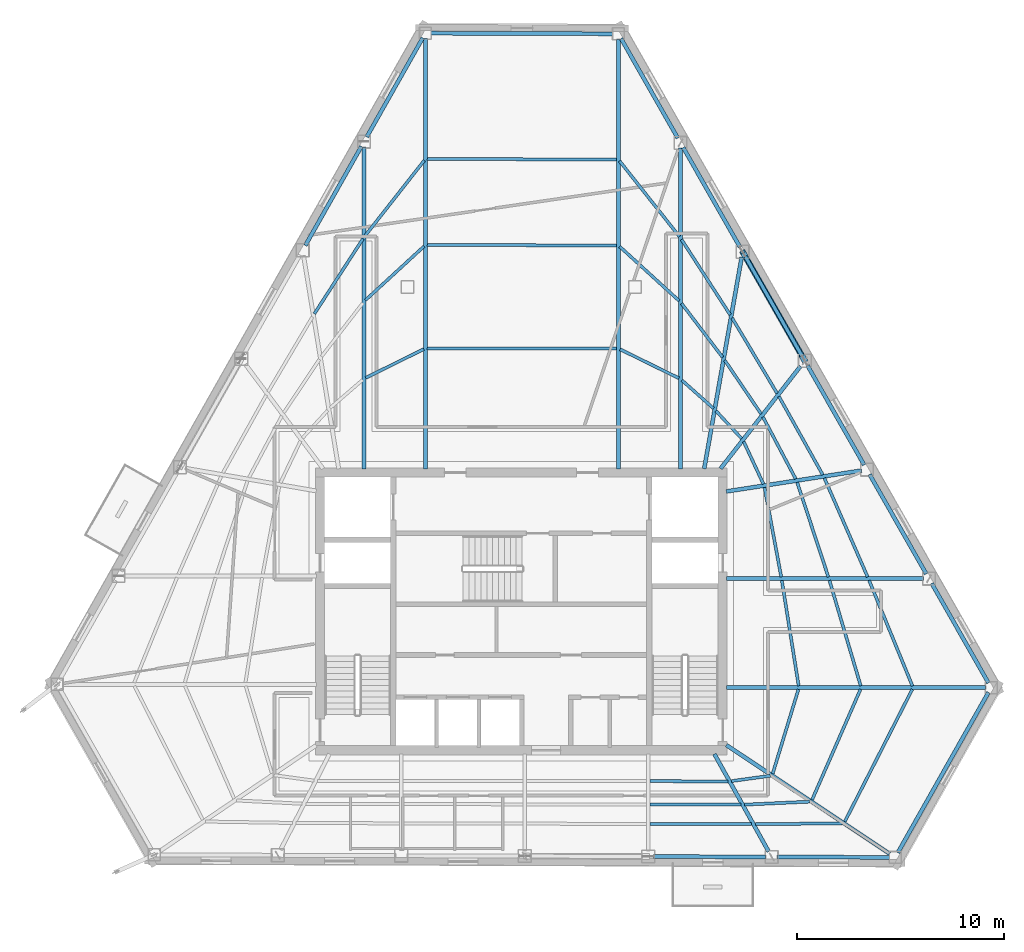
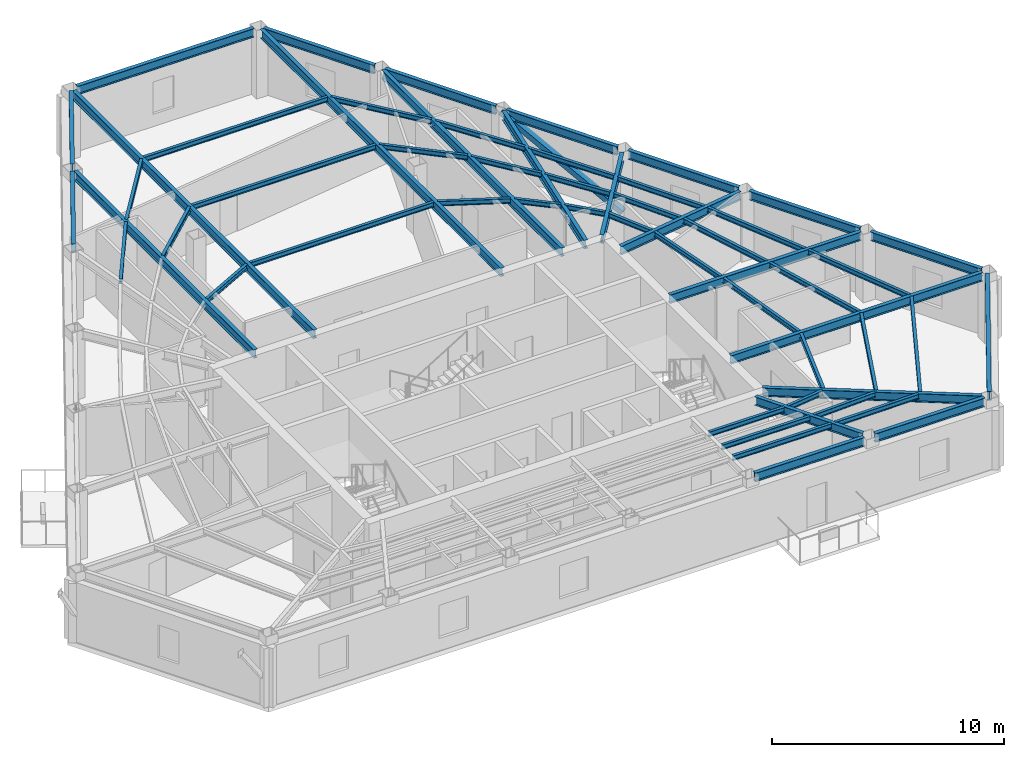
# One storey, part 2 of 13: 57 beams, 1 member.
"""IFC4 building model written with IfcOpenShell, lengths in metres."""

from ifc_helpers import new_model, si_unit, direction, frame, origin, origin_2d, place, context, subcontext, project, spatial, hollow_rectangle, i_section, extrude, material, material_profile, profile_set, type_object, element, save


model = new_model("IFC4")

# Units and contexts
model_context = context("Model", 3, precision=1e-05, world=origin(), true_north=direction((0.0, 1.0)))
body_context = subcontext(model_context, "Body", "Model", "MODEL_VIEW")
ifc_project = project(units=[si_unit("LENGTHUNIT", "METRE"), si_unit("AREAUNIT", "SQUARE_METRE"), si_unit("VOLUMEUNIT", "CUBIC_METRE"), si_unit("PLANEANGLEUNIT", "RADIAN"), si_unit("MASSUNIT", "GRAM", prefix="KILO")], contexts=[model_context])

# Site, building, storey
site_placement = place(None, origin())
site = spatial("IfcSite", under=ifc_project, at=site_placement, CompositionType="ELEMENT")
building_placement = place(site_placement, origin())
building = spatial("IfcBuilding", under=site, at=building_placement, Name="Kavelnor Concourse Tower", CompositionType="ELEMENT")
storey_placement = place(building_placement, frame((0.0, 0.0, 168.85009765625)))
storey = spatial("IfcBuildingStorey", under=building, at=storey_placement, Name="L42", CompositionType="ELEMENT", Elevation=168.85009765625)

# Beams
ifc_material = material(Name="Steel Grade 350", Category="steel")
ifc_material_profile_1 = material_profile(ifc_material, i_section(OverallWidth=0.14599609375, OverallDepth=0.256103515625, WebThickness=0.00634765625, FlangeThickness=0.010986328125, at=origin_2d()), Name="250UB37")
ifc_profile_set_1 = profile_set([ifc_material_profile_1], Name="Steel Grade 350")
beam_type_1 = type_object("IfcBeamType", Name="BM-JOIST-250", PredefinedType="JOIST", material=ifc_profile_set_1)
beam_1_placement = place(storey_placement, frame((44.230712890625, 7.883056640625, 3.471923828125), z_axis=(0.999997841968, -0.002077512883, 0.0), x_axis=(0.002077512883, 0.999997841968, 0.0)))
element("IfcBeam", 1, at=beam_1_placement, inside=storey, type_object=beam_type_1, Name="L42 Secondary Composite Joist 06-1", PredefinedType="JOIST", context=body_context, shape_type="SweptSolid", body=[
    extrude(i_section(OverallWidth=0.14599609375, OverallDepth=0.256103515625, WebThickness=0.00634765625, FlangeThickness=0.010986328125, at=origin_2d()), origin(), (0.0, 0.0, 1.0), 3.760498046875),
])
beam_2_placement = place(storey_placement, frame((44.230712890625, 6.754150390625, 3.471923828125), z_axis=(0.999997400389, -0.002280178712, 0.0), x_axis=(0.002280178712, 0.999997400389, 0.0)))
element("IfcBeam", 2, at=beam_2_placement, inside=storey, type_object=beam_type_1, Name="L42 Secondary Composite Joist 06-2", PredefinedType="JOIST", context=body_context, shape_type="SweptSolid", body=[
    extrude(i_section(OverallWidth=0.14599609375, OverallDepth=0.256103515625, WebThickness=0.00634765625, FlangeThickness=0.010986328125, at=origin_2d()), origin(), (0.0, 0.0, 1.0), 4.389892578125),
])
beam_3_placement = place(storey_placement, frame((44.230712890625, 5.8134765625, 3.471923828125), z_axis=(0.999997037108, -0.00243429156, 0.0), x_axis=(0.00243429156, 0.999997037108, 0.0)))
element("IfcBeam", 3, at=beam_3_placement, inside=storey, type_object=beam_type_1, Name="L42 Secondary Composite Joist 06-3", PredefinedType="JOIST", context=body_context, shape_type="SweptSolid", body=[
    extrude(i_section(OverallWidth=0.14599609375, OverallDepth=0.256103515625, WebThickness=0.00634765625, FlangeThickness=0.010986328125, at=origin_2d()), origin(), (0.0, 0.0, 1.0), 4.914306640625),
])
beam_4_placement = place(storey_placement, frame((48.16845703125, 7.88720703125, 3.471923828125), z_axis=(0.990669077367, 0.136289321481, 0.0), x_axis=(-0.136289321481, 0.990669077367, 0.0)))
element("IfcBeam", 4, at=beam_4_placement, inside=storey, type_object=beam_type_1, Name="L42 Secondary Composite Joist 07-1", PredefinedType="JOIST", context=body_context, shape_type="SweptSolid", body=[
    extrude(i_section(OverallWidth=0.14599609375, OverallDepth=0.256103515625, WebThickness=0.00634765625, FlangeThickness=0.010986328125, at=origin_2d()), origin(), (0.0, 0.0, 1.0), 1.89892578125),
])
beam_5_placement = place(storey_placement, frame((48.798583984375, 6.748046875, 3.471923828125), z_axis=(0.998946037963, 0.045900035274, 0.0), x_axis=(-0.045900035274, 0.998946037963, 0.0)))
element("IfcBeam", 5, at=beam_5_placement, inside=storey, type_object=beam_type_1, Name="L42 Secondary Composite Joist 07-2", PredefinedType="JOIST", context=body_context, shape_type="SweptSolid", body=[
    extrude(i_section(OverallWidth=0.14599609375, OverallDepth=0.256103515625, WebThickness=0.00634765625, FlangeThickness=0.010986328125, at=origin_2d()), origin(), (0.0, 0.0, 1.0), 3.14892578125),
])
beam_6_placement = place(storey_placement, frame((49.322998046875, 5.802001953125, 3.471923828125), z_axis=(0.999949444267, 0.010055292598, 0.0), x_axis=(-0.010055292598, 0.999949444267, 0.0)))
element("IfcBeam", 6, at=beam_6_placement, inside=storey, type_object=beam_type_1, Name="L42 Secondary Composite Joist 07-3", PredefinedType="JOIST", context=body_context, shape_type="SweptSolid", body=[
    extrude(i_section(OverallWidth=0.14599609375, OverallDepth=0.256103515625, WebThickness=0.00634765625, FlangeThickness=0.010986328125, at=origin_2d()), origin(), (0.0, 0.0, 1.0), 4.200439453125),
])
beam_7_placement = place(storey_placement, frame((50.163818359375, 8.243408203125, 3.471923828125), z_axis=(0.291958340537, 0.956431036401, 0.0), x_axis=(-0.956431036401, 0.291958340537, 0.0)))
element("IfcBeam", 7, at=beam_7_placement, inside=storey, type_object=beam_type_1, Name="L42 Secondary Composite Joist 08-1", PredefinedType="JOIST", context=body_context, shape_type="SweptSolid", body=[
    extrude(i_section(OverallWidth=0.14599609375, OverallDepth=0.256103515625, WebThickness=0.00634765625, FlangeThickness=0.010986328125, at=origin_2d()), origin(), (0.0, 0.0, 1.0), 4.267333984375),
])
beam_8_placement = place(storey_placement, frame((52.068603515625, 6.97802734375, 3.471923828125), z_axis=(0.401401968397, 0.915901992446, 0.0), x_axis=(-0.915901992446, 0.401401968397, 0.0)))
element("IfcBeam", 8, at=beam_8_placement, inside=storey, type_object=beam_type_1, Name="L42 Secondary Composite Joist 08-2", PredefinedType="JOIST", context=body_context, shape_type="SweptSolid", body=[
    extrude(i_section(OverallWidth=0.14599609375, OverallDepth=0.256103515625, WebThickness=0.00634765625, FlangeThickness=0.010986328125, at=origin_2d()), origin(), (0.0, 0.0, 1.0), 5.84130859375),
])
beam_9_placement = place(storey_placement, frame((53.652587890625, 5.924560546875, 3.471923828125), z_axis=(0.454369730408, 0.890813194833, 0.0), x_axis=(-0.890813194833, 0.454369730408, 0.0)))
element("IfcBeam", 9, at=beam_9_placement, inside=storey, type_object=beam_type_1, Name="L42 Secondary Composite Joist 08-3", PredefinedType="JOIST", context=body_context, shape_type="SweptSolid", body=[
    extrude(i_section(OverallWidth=0.14599609375, OverallDepth=0.256103515625, WebThickness=0.00634765625, FlangeThickness=0.010986328125, at=origin_2d()), origin(), (0.0, 0.0, 1.0), 7.19091796875),
])
beam_10_placement = place(storey_placement, frame((51.421630859375, 12.49755859375, 3.471923828125), z_axis=(-0.157660258161, 0.987493414154, 0.0), x_axis=(-0.987493414154, -0.157660258161, 0.0)))
element("IfcBeam", 10, at=beam_10_placement, inside=storey, type_object=beam_type_1, Name="L42 Secondary Composite Joist 09-1", PredefinedType="JOIST", context=body_context, shape_type="SweptSolid", body=[
    extrude(i_section(OverallWidth=0.14599609375, OverallDepth=0.256103515625, WebThickness=0.00634765625, FlangeThickness=0.010986328125, at=origin_2d()), origin(), (0.0, 0.0, 1.0), 5.1611328125),
])
beam_11_placement = place(storey_placement, frame((54.423828125, 12.4951171875, 3.471923828125), z_axis=(-0.284269528487, 0.95874440555, 0.0), x_axis=(-0.95874440555, -0.284269528487, 0.0)))
element("IfcBeam", 11, at=beam_11_placement, inside=storey, type_object=beam_type_1, Name="L42 Secondary Composite Joist 09-2", PredefinedType="JOIST", context=body_context, shape_type="SweptSolid", body=[
    extrude(i_section(OverallWidth=0.14599609375, OverallDepth=0.256103515625, WebThickness=0.00634765625, FlangeThickness=0.010986328125, at=origin_2d()), origin(), (0.0, 0.0, 1.0), 5.3212890625),
])
beam_12_placement = place(storey_placement, frame((56.926513671875, 12.491943359375, 3.471923828125), z_axis=(-0.379768865382, 0.925081406627, 0.0), x_axis=(-0.925081406627, -0.379768865382, 0.0)))
element("IfcBeam", 12, at=beam_12_placement, inside=storey, type_object=beam_type_1, Name="L42 Secondary Composite Joist 09-3", PredefinedType="JOIST", context=body_context, shape_type="SweptSolid", body=[
    extrude(i_section(OverallWidth=0.14599609375, OverallDepth=0.256103515625, WebThickness=0.00634765625, FlangeThickness=0.010986328125, at=origin_2d()), origin(), (0.0, 0.0, 1.0), 5.521484375),
])
beam_13_placement = place(storey_placement, frame((50.57763671875, 17.769775390625, 3.471923828125), z_axis=(-0.183709301227, 0.982980616616, 0.0), x_axis=(-0.982980616616, -0.183709301227, 0.0)))
element("IfcBeam", 13, at=beam_13_placement, inside=storey, type_object=beam_type_1, Name="L42 Secondary Composite Joist 10-1", PredefinedType="JOIST", context=body_context, shape_type="SweptSolid", body=[
    extrude(i_section(OverallWidth=0.14599609375, OverallDepth=0.256103515625, WebThickness=0.00634765625, FlangeThickness=0.010986328125, at=origin_2d()), origin(), (0.0, 0.0, 1.0), 4.40283203125),
])
beam_14_placement = place(storey_placement, frame((52.858154296875, 17.7666015625, 3.471923828125), z_axis=(-0.312897233366, 0.949786987357, 0.0), x_axis=(-0.949786987357, -0.312897233366, 0.0)))
element("IfcBeam", 14, at=beam_14_placement, inside=storey, type_object=beam_type_1, Name="L42 Secondary Composite Joist 10-2", PredefinedType="JOIST", context=body_context, shape_type="SweptSolid", body=[
    extrude(i_section(OverallWidth=0.14599609375, OverallDepth=0.256103515625, WebThickness=0.00634765625, FlangeThickness=0.010986328125, at=origin_2d()), origin(), (0.0, 0.0, 1.0), 4.81884765625),
])
beam_15_placement = place(storey_placement, frame((54.76025390625, 17.763671875, 3.471923828125), z_axis=(-0.400784507598, 0.916172351946, 0.0), x_axis=(-0.916172351946, -0.400784507598, 0.0)))
element("IfcBeam", 15, at=beam_15_placement, inside=storey, type_object=beam_type_1, Name="L42 Secondary Composite Joist 10-3", PredefinedType="JOIST", context=body_context, shape_type="SweptSolid", body=[
    extrude(i_section(OverallWidth=0.14599609375, OverallDepth=0.256103515625, WebThickness=0.00634765625, FlangeThickness=0.010986328125, at=origin_2d()), origin(), (0.0, 0.0, 1.0), 5.2236328125),
])
beam_16_placement = place(storey_placement, frame((49.71484375, 22.265625, 3.471923828125), z_axis=(-0.421879505391, 0.906651908359, 0.0), x_axis=(-0.906651908359, -0.421879505391, 0.0)))
element("IfcBeam", 16, at=beam_16_placement, inside=storey, type_object=beam_type_1, Name="L42 Secondary Composite Joist 11-1", PredefinedType="JOIST", context=body_context, shape_type="SweptSolid", body=[
    extrude(i_section(OverallWidth=0.14599609375, OverallDepth=0.256103515625, WebThickness=0.00634765625, FlangeThickness=0.010986328125, at=origin_2d()), origin(), (0.0, 0.0, 1.0), 2.25927734375),
])
beam_17_placement = place(storey_placement, frame((51.281005859375, 22.5068359375, 3.471923828125), z_axis=(-0.468053085511, 0.883700350313, 0.0), x_axis=(-0.883700350313, -0.468053085511, 0.0)))
element("IfcBeam", 17, at=beam_17_placement, inside=storey, type_object=beam_type_1, Name="L42 Secondary Composite Joist 11-2", PredefinedType="JOIST", context=body_context, shape_type="SweptSolid", body=[
    extrude(i_section(OverallWidth=0.14599609375, OverallDepth=0.256103515625, WebThickness=0.00634765625, FlangeThickness=0.010986328125, at=origin_2d()), origin(), (0.0, 0.0, 1.0), 3.3916015625),
])
beam_18_placement = place(storey_placement, frame((52.587646484375, 22.70849609375, 3.471923828125), z_axis=(-0.488363495702, 0.872640301651, 0.0), x_axis=(-0.872640301651, -0.488363495702, 0.0)))
element("IfcBeam", 18, at=beam_18_placement, inside=storey, type_object=beam_type_1, Name="L42 Secondary Composite Joist 11-3", PredefinedType="JOIST", context=body_context, shape_type="SweptSolid", body=[
    extrude(i_section(OverallWidth=0.14599609375, OverallDepth=0.256103515625, WebThickness=0.00634765625, FlangeThickness=0.010986328125, at=origin_2d()), origin(), (0.0, 0.0, 1.0), 4.33935546875),
])
beam_19_placement = place(storey_placement, frame((48.663818359375, 24.459716796875, 3.471923828125), z_axis=(-0.680000836513, 0.733211335389, 0.0), x_axis=(-0.733211335389, -0.680000836513, 0.0)))
element("IfcBeam", 19, at=beam_19_placement, inside=storey, type_object=beam_type_1, Name="L42 Secondary Composite Joist 12-1", PredefinedType="JOIST", context=body_context, shape_type="SweptSolid", body=[
    extrude(i_section(OverallWidth=0.14599609375, OverallDepth=0.256103515625, WebThickness=0.00634765625, FlangeThickness=0.010986328125, at=origin_2d()), origin(), (0.0, 0.0, 1.0), 1.830810546875),
])
beam_20_placement = place(storey_placement, frame((49.60205078125, 25.65625, 3.471923828125), z_axis=(-0.560975587469, 0.827832344297, 0.0), x_axis=(-0.827832344297, -0.560975587469, 0.0)))
element("IfcBeam", 20, at=beam_20_placement, inside=storey, type_object=beam_type_1, Name="L42 Secondary Composite Joist 12-2", PredefinedType="JOIST", context=body_context, shape_type="SweptSolid", body=[
    extrude(i_section(OverallWidth=0.14599609375, OverallDepth=0.256103515625, WebThickness=0.00634765625, FlangeThickness=0.010986328125, at=origin_2d()), origin(), (0.0, 0.0, 1.0), 3.13427734375),
])
beam_21_placement = place(storey_placement, frame((50.37939453125, 26.649169921875, 3.471923828125), z_axis=(-0.51258398395, 0.858637094119, 0.0), x_axis=(-0.858637094119, -0.51258398395, 0.0)))
element("IfcBeam", 21, at=beam_21_placement, inside=storey, type_object=beam_type_1, Name="L42 Secondary Composite Joist 12-3", PredefinedType="JOIST", context=body_context, shape_type="SweptSolid", body=[
    extrude(i_section(OverallWidth=0.14599609375, OverallDepth=0.256103515625, WebThickness=0.00634765625, FlangeThickness=0.010986328125, at=origin_2d()), origin(), (0.0, 0.0, 1.0), 4.2470703125),
])
beam_22_placement = place(storey_placement, frame((47.2919921875, 25.926513671875, 3.471923828125), z_axis=(-0.746026891885, 0.665915817941, 0.0), x_axis=(-0.665915817941, -0.746026891885, 0.0)))
element("IfcBeam", 22, at=beam_22_placement, inside=storey, type_object=beam_type_1, Name="L42 Secondary Composite Joist 13-1", PredefinedType="JOIST", context=body_context, shape_type="SweptSolid", body=[
    extrude(i_section(OverallWidth=0.14599609375, OverallDepth=0.256103515625, WebThickness=0.00634765625, FlangeThickness=0.010986328125, at=origin_2d()), origin(), (0.0, 0.0, 1.0), 2.038818359375),
])
beam_23_placement = place(storey_placement, frame((47.739990234375, 28.3955078125, 3.471923828125), z_axis=(-0.606124216521, 0.795369998269, 0.0), x_axis=(-0.795369998269, -0.606124216521, 0.0)))
element("IfcBeam", 23, at=beam_23_placement, inside=storey, type_object=beam_type_1, Name="L42 Secondary Composite Joist 13-2", PredefinedType="JOIST", context=body_context, shape_type="SweptSolid", body=[
    extrude(i_section(OverallWidth=0.14599609375, OverallDepth=0.256103515625, WebThickness=0.00634765625, FlangeThickness=0.010986328125, at=origin_2d()), origin(), (0.0, 0.0, 1.0), 3.26904296875),
])
beam_24_placement = place(storey_placement, frame((48.1083984375, 30.447021484375, 3.471923828125), z_axis=(-0.542546925999, 0.840025495499, 0.0), x_axis=(-0.840025495499, -0.542546925999, 0.0)))
element("IfcBeam", 24, at=beam_24_placement, inside=storey, type_object=beam_type_1, Name="L42 Secondary Composite Joist 13-3", PredefinedType="JOIST", context=body_context, shape_type="SweptSolid", body=[
    extrude(i_section(OverallWidth=0.14599609375, OverallDepth=0.256103515625, WebThickness=0.00634765625, FlangeThickness=0.010986328125, at=origin_2d()), origin(), (0.0, 0.0, 1.0), 4.341552734375),
])
beam_25_placement = place(storey_placement, frame((45.624755859375, 27.382568359375, 3.471923828125), z_axis=(-0.897591738175, 0.440827711878, 0.0), x_axis=(-0.440827711878, -0.897591738175, 0.0)))
element("IfcBeam", 25, at=beam_25_placement, inside=storey, type_object=beam_type_1, Name="L42 Secondary Composite Joist 14-1", PredefinedType="JOIST", context=body_context, shape_type="SweptSolid", body=[
    extrude(i_section(OverallWidth=0.14599609375, OverallDepth=0.256103515625, WebThickness=0.00634765625, FlangeThickness=0.010986328125, at=origin_2d()), origin(), (0.0, 0.0, 1.0), 3.171142578125),
])
beam_26_placement = place(storey_placement, frame((45.638916015625, 31.126220703125, 3.471923828125), z_axis=(-0.738863033216, 0.673855635984, 0.0), x_axis=(-0.673855635984, -0.738863033216, 0.0)))
element("IfcBeam", 26, at=beam_26_placement, inside=storey, type_object=beam_type_1, Name="L42 Secondary Composite Joist 14-2", PredefinedType="JOIST", context=body_context, shape_type="SweptSolid", body=[
    extrude(i_section(OverallWidth=0.14599609375, OverallDepth=0.256103515625, WebThickness=0.00634765625, FlangeThickness=0.010986328125, at=origin_2d()), origin(), (0.0, 0.0, 1.0), 3.890869140625),
])
beam_27_placement = place(storey_placement, frame((45.6494140625, 34.238525390625, 3.471923828125), z_axis=(-0.620838344957, 0.783938613306, 0.0), x_axis=(-0.783938613306, -0.620838344957, 0.0)))
element("IfcBeam", 27, at=beam_27_placement, inside=storey, type_object=beam_type_1, Name="L42 Secondary Composite Joist 14-3", PredefinedType="JOIST", context=body_context, shape_type="SweptSolid", body=[
    extrude(i_section(OverallWidth=0.14599609375, OverallDepth=0.256103515625, WebThickness=0.00634765625, FlangeThickness=0.010986328125, at=origin_2d()), origin(), (0.0, 0.0, 1.0), 4.664306640625),
])
for number, where, z_axis, x_axis, name in (
    (28, (42.609375, 28.81982421875, 3.471923828125), (-0.999999539642, 0.000959538979, 0.0), (-0.000959538979, -0.999999539642, 0.0), "L42 Secondary Composite Joist 15-1"),
    (29, (42.609375, 33.80810546875, 3.471923828125), (-0.999998405446, 0.001785806631, 0.0), (-0.001785806631, -0.999998405446, 0.0), "L42 Secondary Composite Joist 15-2"),
    (30, (42.609375, 37.965087890625, 3.471923828125), (-0.999996927764, 0.002478802556, 0.0), (-0.002478802556, -0.999996927764, 0.0), "L42 Secondary Composite Joist 15-3"),
):
    element("IfcBeam", number, at=place(storey_placement, frame(where, z_axis=z_axis, x_axis=x_axis)), inside=storey, type_object=beam_type_1, Name=name, PredefinedType="JOIST", context=body_context, shape_type="SweptSolid", body=[
        extrude(i_section(OverallWidth=0.14599609375, OverallDepth=0.256103515625, WebThickness=0.00634765625, FlangeThickness=0.010986328125, at=origin_2d()), origin(), (0.0, 0.0, 1.0), 9.15966796875),
    ])
beam_28_placement = place(storey_placement, frame((33.281005859375, 28.789306640625, 3.471923828125), z_axis=(-0.896210420121, -0.443629217777, 0.0), x_axis=(0.443629217777, -0.896210420121, 0.0)))
element("IfcBeam", 31, at=beam_28_placement, inside=storey, type_object=beam_type_1, Name="L42 Secondary Composite Joist 16-1", PredefinedType="JOIST", context=body_context, shape_type="SweptSolid", body=[
    extrude(i_section(OverallWidth=0.14599609375, OverallDepth=0.256103515625, WebThickness=0.00634765625, FlangeThickness=0.010986328125, at=origin_2d()), origin(), (0.0, 0.0, 1.0), 3.13623046875),
])
beam_29_placement = place(storey_placement, frame((33.295166015625, 33.764404296875, 3.471923828125), z_axis=(-0.736173213044, -0.676793174018, 0.0), x_axis=(0.676793174018, -0.736173213044, 0.0)))
element("IfcBeam", 32, at=beam_29_placement, inside=storey, type_object=beam_type_1, Name="L42 Secondary Composite Joist 16-2", PredefinedType="JOIST", context=body_context, shape_type="SweptSolid", body=[
    extrude(i_section(OverallWidth=0.14599609375, OverallDepth=0.256103515625, WebThickness=0.00634765625, FlangeThickness=0.010986328125, at=origin_2d()), origin(), (0.0, 0.0, 1.0), 3.856689453125),
])
beam_30_placement = place(storey_placement, frame((33.3056640625, 37.91796875, 3.471923828125), z_axis=(-0.617770314505, -0.786358594101, 0.0), x_axis=(0.786358594101, -0.617770314505, 0.0)))
element("IfcBeam", 33, at=beam_30_placement, inside=storey, type_object=beam_type_1, Name="L42 Secondary Composite Joist 16-3", PredefinedType="JOIST", context=body_context, shape_type="SweptSolid", body=[
    extrude(i_section(OverallWidth=0.14599609375, OverallDepth=0.256103515625, WebThickness=0.00634765625, FlangeThickness=0.010986328125, at=origin_2d()), origin(), (0.0, 0.0, 1.0), 4.629638671875),
])
beam_31_placement = place(storey_placement, frame((30.342041015625, 34.132568359375, 3.471923828125), z_axis=(-0.543887361996, -0.83915823148, 0.0), x_axis=(0.83915823148, -0.543887361996, 0.0)))
element("IfcBeam", 34, at=beam_31_placement, inside=storey, type_object=beam_type_1, Name="L42 Secondary Composite Joist 17-3", PredefinedType="JOIST", context=body_context, shape_type="SweptSolid", body=[
    extrude(i_section(OverallWidth=0.14599609375, OverallDepth=0.256103515625, WebThickness=0.00634765625, FlangeThickness=0.010986328125, at=origin_2d()), origin(), (0.0, 0.0, 1.0), 4.32763671875),
])
ifc_material_profile_2 = material_profile(ifc_material, i_section(OverallWidth=0.18994140625, OverallDepth=0.4541015625, WebThickness=0.008544921875, FlangeThickness=0.0126953125, at=origin_2d()), Name="460UB67")
ifc_profile_set_2 = profile_set([ifc_material_profile_2], Name="Steel Grade 350")
beam_type_2 = type_object("IfcBeamType", Name="BM-PRIMARY-460", PredefinedType="BEAM", material=ifc_profile_set_2)
beam_32_placement = place(storey_placement, frame((33.360595703125, 23.0, 3.372802734375), z_axis=(0.0, 1.0, 0.0), x_axis=(-1.0, 0.0, 0.0)))
element("IfcBeam", 35, at=beam_32_placement, inside=storey, type_object=beam_type_2, Name="L42 Primary Floor Girder F0-B0", PredefinedType="BEAM", context=body_context, shape_type="SweptSolid", body=[
    extrude(i_section(OverallWidth=0.18994140625, OverallDepth=0.4541015625, WebThickness=0.008544921875, FlangeThickness=0.0126953125, at=origin_2d()), origin(), (0.0, 0.0, 1.0), 20.816650390625),
])
beam_33_placement = place(storey_placement, frame((30.390380859375, 23.0, 3.372802734375), z_axis=(0.0, 1.0, 0.0), x_axis=(-1.0, 0.0, 0.0)))
element("IfcBeam", 36, at=beam_33_placement, inside=storey, type_object=beam_type_2, Name="L42 Primary Floor Girder F0-B1", PredefinedType="BEAM", context=body_context, shape_type="SweptSolid", body=[
    extrude(i_section(OverallWidth=0.18994140625, OverallDepth=0.4541015625, WebThickness=0.008544921875, FlangeThickness=0.0126953125, at=origin_2d()), origin(), (0.0, 0.0, 1.0), 15.565673828125),
])
beam_34_placement = place(storey_placement, frame((47.345947265625, 9.195068359375, 3.372802734375), z_axis=(0.486138579121, -0.87388173221, 0.0), x_axis=(0.87388173221, 0.486138579121, 0.0)))
element("IfcBeam", 37, at=beam_34_placement, inside=storey, type_object=beam_type_2, Name="L42 Primary Floor Girder F1-B5", PredefinedType="BEAM", context=body_context, shape_type="SweptSolid", body=[
    extrude(i_section(OverallWidth=0.18994140625, OverallDepth=0.4541015625, WebThickness=0.008544921875, FlangeThickness=0.0126953125, at=origin_2d()), origin(), (0.0, 0.0, 1.0), 5.394287109375),
])
beam_35_placement = place(storey_placement, frame((47.9267578125, 9.630126953125, 3.372802734375), z_axis=(0.832414382339, -0.554153675505, 0.0), x_axis=(0.554153675505, 0.832414382339, 0.0)))
element("IfcBeam", 38, at=beam_35_placement, inside=storey, type_object=beam_type_2, Name="L42 Primary Floor Girder F1-B6", PredefinedType="BEAM", context=body_context, shape_type="SweptSolid", body=[
    extrude(i_section(OverallWidth=0.18994140625, OverallDepth=0.4541015625, WebThickness=0.008544921875, FlangeThickness=0.0126953125, at=origin_2d()), origin(), (0.0, 0.0, 1.0), 9.486328125),
])
beam_36_placement = place(storey_placement, frame((47.919921875, 12.40966796875, 3.372802734375), z_axis=(1.0, 0.0, 0.0), x_axis=(0.0, 1.0, 0.0)))
element("IfcBeam", 39, at=beam_36_placement, inside=storey, type_object=beam_type_2, Name="L42 Primary Floor Girder F2-B0", PredefinedType="BEAM", context=body_context, shape_type="SweptSolid", body=[
    extrude(i_section(OverallWidth=0.18994140625, OverallDepth=0.4541015625, WebThickness=0.008544921875, FlangeThickness=0.0126953125, at=origin_2d()), origin(), (0.0, 0.0, 1.0), 12.55615234375),
])
beam_37_placement = place(storey_placement, frame((47.919921875, 17.68212890625, 3.372802734375), z_axis=(1.0, 0.0, 0.0), x_axis=(0.0, 1.0, 0.0)))
element("IfcBeam", 40, at=beam_37_placement, inside=storey, type_object=beam_type_2, Name="L42 Primary Floor Girder F2-B1", PredefinedType="BEAM", context=body_context, shape_type="SweptSolid", body=[
    extrude(i_section(OverallWidth=0.18994140625, OverallDepth=0.4541015625, WebThickness=0.008544921875, FlangeThickness=0.0126953125, at=origin_2d()), origin(), (0.0, 0.0, 1.0), 9.5498046875),
])
beam_38_placement = place(storey_placement, frame((47.92041015625, 21.9013671875, 3.372802734375), z_axis=(0.988225870143, 0.153002057438, 0.0), x_axis=(-0.153002057438, 0.988225870143, 0.0)))
element("IfcBeam", 41, at=beam_38_placement, inside=storey, type_object=beam_type_2, Name="L42 Primary Floor Girder F2-B2", PredefinedType="BEAM", context=body_context, shape_type="SweptSolid", body=[
    extrude(i_section(OverallWidth=0.18994140625, OverallDepth=0.4541015625, WebThickness=0.008544921875, FlangeThickness=0.0126953125, at=origin_2d()), origin(), (0.0, 0.0, 1.0), 6.620361328125),
])
beam_39_placement = place(storey_placement, frame((47.641845703125, 23.008544921875, 3.372802734375), z_axis=(0.61548411349, 0.788149291722, 0.0), x_axis=(-0.788149291722, 0.61548411349, 0.0)))
element("IfcBeam", 42, at=beam_39_placement, inside=storey, type_object=beam_type_2, Name="L42 Primary Floor Girder F2-B3", PredefinedType="BEAM", context=body_context, shape_type="SweptSolid", body=[
    extrude(i_section(OverallWidth=0.18994140625, OverallDepth=0.4541015625, WebThickness=0.008544921875, FlangeThickness=0.0126953125, at=origin_2d()), origin(), (0.0, 0.0, 1.0), 6.28076171875),
])
beam_40_placement = place(storey_placement, frame((46.8505859375, 23.00048828125, 3.372802734375), z_axis=(0.174476440437, 0.984661348755, 0.0), x_axis=(-0.984661348755, 0.174476440437, 0.0)))
element("IfcBeam", 43, at=beam_40_placement, inside=storey, type_object=beam_type_2, Name="L42 Primary Floor Girder F2-B4", PredefinedType="BEAM", context=body_context, shape_type="SweptSolid", body=[
    extrude(i_section(OverallWidth=0.18994140625, OverallDepth=0.4541015625, WebThickness=0.008544921875, FlangeThickness=0.0126953125, at=origin_2d()), origin(), (0.0, 0.0, 1.0), 10.39794921875),
])
beam_41_placement = place(storey_placement, frame((45.70458984375, 23.0, 3.372802734375), z_axis=(0.0, 1.0, 0.0), x_axis=(-1.0, 0.0, 0.0)))
element("IfcBeam", 44, at=beam_41_placement, inside=storey, type_object=beam_type_2, Name="L42 Primary Floor Girder F2-B5", PredefinedType="BEAM", context=body_context, shape_type="SweptSolid", body=[
    extrude(i_section(OverallWidth=0.18994140625, OverallDepth=0.4541015625, WebThickness=0.008544921875, FlangeThickness=0.0126953125, at=origin_2d()), origin(), (0.0, 0.0, 1.0), 15.51220703125),
])
beam_42_placement = place(storey_placement, frame((42.6982421875, 23.0, 3.372802734375), z_axis=(0.0, 1.0, 0.0), x_axis=(-1.0, 0.0, 0.0)))
element("IfcBeam", 45, at=beam_42_placement, inside=storey, type_object=beam_type_2, Name="L42 Primary Floor Girder F2-B6", PredefinedType="BEAM", context=body_context, shape_type="SweptSolid", body=[
    extrude(i_section(OverallWidth=0.18994140625, OverallDepth=0.4541015625, WebThickness=0.008544921875, FlangeThickness=0.0126953125, at=origin_2d()), origin(), (0.0, 0.0, 1.0), 20.78466796875),
])
ifc_material_profile_3 = material_profile(ifc_material, i_section(OverallWidth=0.19091796875, OverallDepth=0.4599609375, WebThickness=0.010009765625, FlangeThickness=0.01611328125, at=origin_2d()), Name="460UB82")
ifc_profile_set_3 = profile_set([ifc_material_profile_3], Name="Steel Grade 350")
beam_type_3 = type_object("IfcBeamType", Name="BM-SPANDREL-Z3", PredefinedType="SPANDREL", material=ifc_profile_set_3)
for number, where, z_axis, x_axis, name in (
    (46, (33.230224609375, 43.845947265625, 3.369873046875), (-0.492345236575, -0.870400004608, 0.0), (0.870400004608, -0.492345236575, 0.0), "L42 Perimeter Tube Spandrel Beam F0-B0"),
    (47, (30.260009765625, 38.594970703125, 3.369873046875), (-0.492345236575, -0.870400004608, 0.0), (0.870400004608, -0.492345236575, 0.0), "L42 Perimeter Tube Spandrel Beam F0-B1"),
):
    element("IfcBeam", number, at=place(storey_placement, frame(where, z_axis=z_axis, x_axis=x_axis)), inside=storey, type_object=beam_type_3, Name=name, PredefinedType="SPANDREL", context=body_context, shape_type="SweptSolid", body=[
        extrude(i_section(OverallWidth=0.19091796875, OverallDepth=0.4599609375, WebThickness=0.010009765625, FlangeThickness=0.01611328125, at=origin_2d()), origin(), (0.0, 0.0, 1.0), 5.502685546875),
    ])
beam_43_placement = place(storey_placement, frame((42.433349609375, 44.04541015625, 3.369873046875), z_axis=(-0.999994092921, 0.003437167855, 0.0), x_axis=(-0.003437167855, -0.999994092921, 0.0)))
element("IfcBeam", 48, at=beam_43_placement, inside=storey, type_object=beam_type_3, Name="L42 Chamfer Facet Spandrel Beam C0", PredefinedType="SPANDREL", context=body_context, shape_type="SweptSolid", body=[
    extrude(i_section(OverallWidth=0.19091796875, OverallDepth=0.4599609375, WebThickness=0.010009765625, FlangeThickness=0.01611328125, at=origin_2d()), origin(), (0.0, 0.0, 1.0), 8.8076171875),
])
beam_44_placement = place(storey_placement, frame((44.406494140625, 4.236083984375, 3.369873046875), z_axis=(0.999994038743, -0.003452894214, 0.0), x_axis=(0.003452894214, 0.999994038743, 0.0)))
element("IfcBeam", 49, at=beam_44_placement, inside=storey, type_object=beam_type_3, Name="L42 Perimeter Tube Spandrel Beam F1-B4", PredefinedType="SPANDREL", context=body_context, shape_type="SweptSolid", body=[
    extrude(i_section(OverallWidth=0.19091796875, OverallDepth=0.4599609375, WebThickness=0.010009765625, FlangeThickness=0.01611328125, at=origin_2d()), origin(), (0.0, 0.0, 1.0), 5.4443359375),
])
beam_45_placement = place(storey_placement, frame((50.380859375, 4.21533203125, 3.369873046875), z_axis=(0.999994192053, -0.003408204789, 0.0), x_axis=(0.003408204789, 0.999994192053, 0.0)))
element("IfcBeam", 50, at=beam_45_placement, inside=storey, type_object=beam_type_3, Name="L42 Perimeter Tube Spandrel Beam F1-B5", PredefinedType="SPANDREL", context=body_context, shape_type="SweptSolid", body=[
    extrude(i_section(OverallWidth=0.19091796875, OverallDepth=0.4599609375, WebThickness=0.010009765625, FlangeThickness=0.01611328125, at=origin_2d()), origin(), (0.0, 0.0, 1.0), 5.444091796875),
])
beam_46_placement = place(storey_placement, frame((60.604736328125, 12.639892578125, 3.369873046875), z_axis=(-0.49531281959, 0.868714688923, 0.0), x_axis=(-0.868714688923, -0.49531281959, 0.0)))
element("IfcBeam", 51, at=beam_46_placement, inside=storey, type_object=beam_type_3, Name="L42 Perimeter Tube Spandrel Beam F2-B0", PredefinedType="SPANDREL", context=body_context, shape_type="SweptSolid", body=[
    extrude(i_section(OverallWidth=0.19091796875, OverallDepth=0.4599609375, WebThickness=0.010009765625, FlangeThickness=0.01611328125, at=origin_2d()), origin(), (0.0, 0.0, 1.0), 5.539306640625),
])
for number, where, z_axis, x_axis, name in (
    (52, (57.598388671875, 17.912353515625, 3.369873046875), (-0.495293855441, 0.868725501388, 0.0), (-0.868725501388, -0.495293855441, 0.0), "L42 Perimeter Tube Spandrel Beam F2-B1"),
    (53, (54.59228515625, 23.184814453125, 3.369873046875), (-0.495327115639, 0.868706537625, 0.0), (-0.868706537625, -0.495327115639, 0.0), "L42 Perimeter Tube Spandrel Beam F2-B2"),
):
    element("IfcBeam", number, at=place(storey_placement, frame(where, z_axis=z_axis, x_axis=x_axis)), inside=storey, type_object=beam_type_3, Name=name, PredefinedType="SPANDREL", context=body_context, shape_type="SweptSolid", body=[
        extrude(i_section(OverallWidth=0.19091796875, OverallDepth=0.4599609375, WebThickness=0.010009765625, FlangeThickness=0.01611328125, at=origin_2d()), origin(), (0.0, 0.0, 1.0), 5.53955078125),
    ])
beam_47_placement = place(storey_placement, frame((51.5859375, 28.45751953125, 3.369873046875), z_axis=(-0.495331784954, 0.868703875215, 0.0), x_axis=(-0.868703875215, -0.495331784954, 0.0)))
element("IfcBeam", 54, at=beam_47_placement, inside=storey, type_object=beam_type_3, Name="L42 Perimeter Tube Spandrel Beam F2-B3", PredefinedType="SPANDREL", context=body_context, shape_type="SweptSolid", body=[
    extrude(i_section(OverallWidth=0.19091796875, OverallDepth=0.4599609375, WebThickness=0.010009765625, FlangeThickness=0.01611328125, at=origin_2d()), origin(), (0.0, 0.0, 1.0), 5.5390625),
])
for number, where, z_axis, x_axis, name in (
    (55, (48.57958984375, 33.729736328125, 3.369873046875), (-0.495293855441, 0.868725501388, 0.0), (-0.868725501388, -0.495293855441, 0.0), "L42 Perimeter Tube Spandrel Beam F2-B4"),
    (56, (45.5732421875, 39.002197265625, 3.369873046875), (-0.495293855441, 0.868725501388, 0.0), (-0.868725501388, -0.495293855441, 0.0), "L42 Perimeter Tube Spandrel Beam F2-B5"),
):
    element("IfcBeam", number, at=place(storey_placement, frame(where, z_axis=z_axis, x_axis=x_axis)), inside=storey, type_object=beam_type_3, Name=name, PredefinedType="SPANDREL", context=body_context, shape_type="SweptSolid", body=[
        extrude(i_section(OverallWidth=0.19091796875, OverallDepth=0.4599609375, WebThickness=0.010009765625, FlangeThickness=0.01611328125, at=origin_2d()), origin(), (0.0, 0.0, 1.0), 5.53955078125),
    ])
beam_48_placement = place(storey_placement, frame((56.220458984375, 4.426513671875, 3.369873046875), z_axis=(0.492349870802, 0.870397383223, 0.0), x_axis=(-0.870397383223, 0.492349870802, 0.0)))
element("IfcBeam", 57, at=beam_48_placement, inside=storey, type_object=beam_type_3, Name="L42 Chamfer Facet Spandrel Beam C2", PredefinedType="SPANDREL", context=body_context, shape_type="SweptSolid", body=[
    extrude(i_section(OverallWidth=0.19091796875, OverallDepth=0.4599609375, WebThickness=0.010009765625, FlangeThickness=0.01611328125, at=origin_2d()), origin(), (0.0, 0.0, 1.0), 8.90673828125),
])

# Member
ifc_material_profile_4 = material_profile(ifc_material, hollow_rectangle(XDim=0.280029296875, YDim=0.280029296875, WallThickness=0.01611328125, at=origin_2d()), Name="SHS 280x280x16")
ifc_profile_set_4 = profile_set([ifc_material_profile_4], Name="Steel Grade 350")
member_type = type_object("IfcMemberType", Name="MBR-TUBE-DIAG-Z3", PredefinedType="BRACE", material=ifc_profile_set_4)
member_placement = place(storey_placement, frame((51.71728515625, 28.227294921875, 0.219970703125), z_axis=(-0.439662293896, 0.771033558282, 0.460656400507), x_axis=(-0.868693322003, -0.495350292528, 0.0)))
element("IfcMember", 58, at=member_placement, inside=storey, type_object=member_type, Name="L42 Framed-Tube Bracing Diagonal F2-B3", PredefinedType="BRACE", context=body_context, shape_type="SweptSolid", body=[
    extrude(hollow_rectangle(XDim=0.280029296875, YDim=0.280029296875, WallThickness=0.01611328125, at=origin_2d()), origin(), (0.0, 0.0, 1.0), 6.837890625),
])

save(model, "model.ifc")
